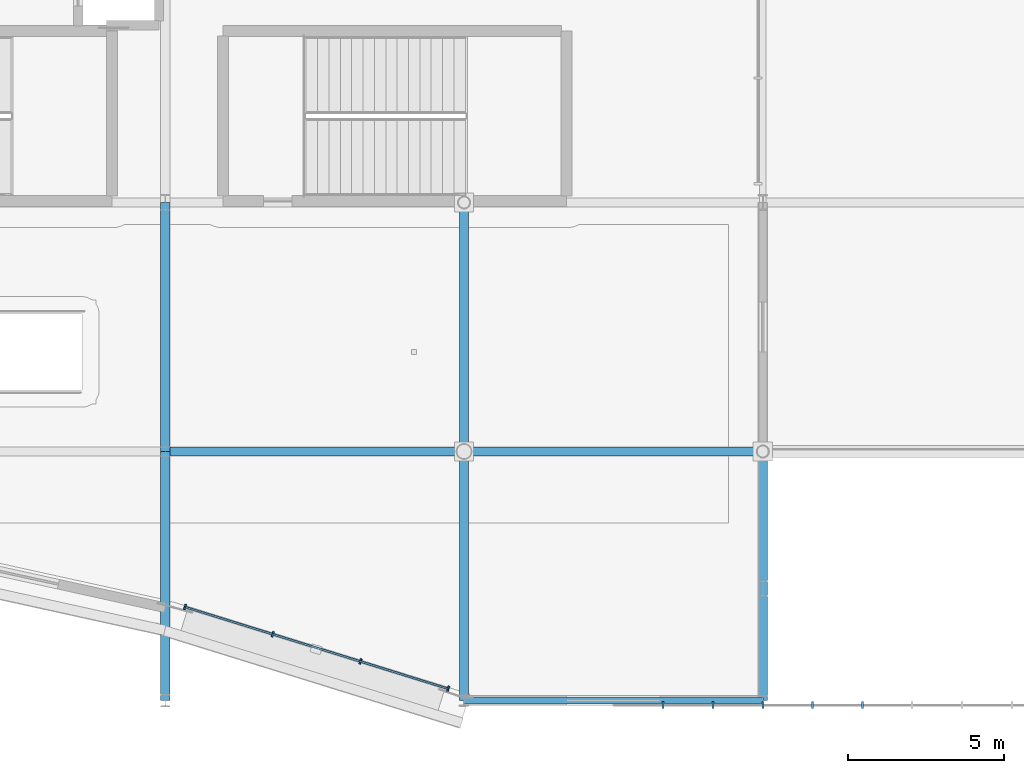
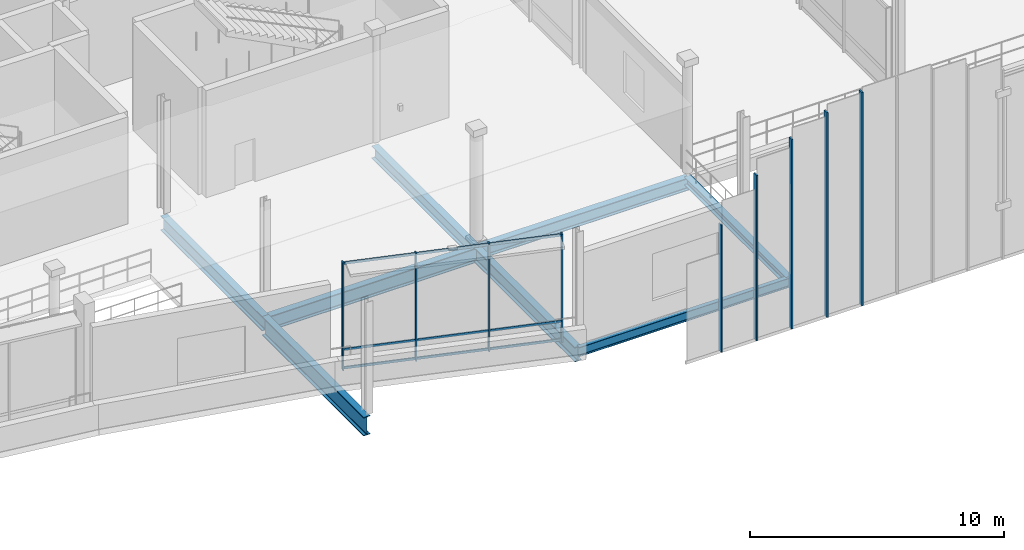
# One storey, part 39 of 129: 12 members, 8 beams, 2 elements without a shape of their own.
"""IFC4 building model written with IfcOpenShell, lengths in metres."""

from ifc_helpers import new_model, si_unit, direction, frame, origin, origin_2d, place, context, subcontext, project, spatial, rectangle, i_section, extrude, material, material_profile, profile_set, type_object, element, aggregate, save


model = new_model("IFC4")

# Units and contexts
model_context = context("Model", 3, precision=1e-05, world=origin(), true_north=direction((0.0, 1.0)))
body_context = subcontext(model_context, "Body", "Model", "MODEL_VIEW")
ifc_project = project(units=[si_unit("LENGTHUNIT", "METRE"), si_unit("AREAUNIT", "SQUARE_METRE"), si_unit("VOLUMEUNIT", "CUBIC_METRE"), si_unit("PLANEANGLEUNIT", "RADIAN"), si_unit("MASSUNIT", "GRAM", prefix="KILO")], contexts=[model_context])

# Site, building, storey
site_placement = place(None, origin())
site = spatial("IfcSite", under=ifc_project, at=site_placement, CompositionType="ELEMENT")
building_placement = place(site_placement, origin())
building = spatial("IfcBuilding", under=site, at=building_placement, Name="Danafjord Basin Convention Centre", CompositionType="ELEMENT")
storey_placement = place(building_placement, frame((0.0, 0.0, 6.0)))
storey = spatial("IfcBuildingStorey", under=building, at=storey_placement, Name="L01", CompositionType="ELEMENT", Elevation=6.0)

# Beams
ifc_material_1 = material(Name="Steel S355", Category="steel")
ifc_material_profile_1 = material_profile(ifc_material_1, i_section(OverallWidth=0.300048828125, OverallDepth=0.60009765625, WebThickness=0.015380859375, FlangeThickness=0.030029296875, FilletRadius=0.027099609375, at=origin_2d()), Name="HEB 600")
ifc_profile_set_1 = profile_set([ifc_material_profile_1], Name="Steel S355")
beam_type_1 = type_object("IfcBeamType", Name="BEAM-BM-HEB600", PredefinedType="BEAM", material=ifc_profile_set_1)
beam_1_placement = place(storey_placement, frame((105.60009765625, 8.0, -0.530029296875), z_axis=(1.0, 0.0, 0.0), x_axis=(0.0, 1.0, 0.0)))
element("IfcBeam", 1, at=beam_1_placement, inside=storey, type_object=beam_type_1, Name="L01 girder BM-HEB600", PredefinedType="BEAM", context=body_context, shape_type="SweptSolid", body=[
    extrude(i_section(OverallWidth=0.300048828125, OverallDepth=0.60009765625, WebThickness=0.015380859375, FlangeThickness=0.030029296875, FilletRadius=0.027099609375, at=origin_2d()), origin(), (0.0, 0.0, 1.0), 9.599853515625),
])
beam_2_placement = place(storey_placement, frame((105.60009765625, 8.0, -0.530029296875), z_axis=(0.0, 1.0, 0.0), x_axis=(-1.0, 0.0, 0.0)))
element("IfcBeam", 2, at=beam_2_placement, inside=storey, type_object=beam_type_1, Name="L01 transverse girder BM-HEB600", PredefinedType="BEAM", context=body_context, shape_type="SweptSolid", body=[
    extrude(i_section(OverallWidth=0.300048828125, OverallDepth=0.60009765625, WebThickness=0.015380859375, FlangeThickness=0.030029296875, FilletRadius=0.027099609375, at=origin_2d()), origin(), (0.0, 0.0, 1.0), 8.0),
])
ifc_material_profile_2 = material_profile(ifc_material_1, i_section(OverallWidth=0.300048828125, OverallDepth=0.699951171875, WebThickness=0.01708984375, FlangeThickness=0.031982421875, FilletRadius=0.027099609375, at=origin_2d()), Name="HEB 700")
ifc_profile_set_2 = profile_set([ifc_material_profile_2], Name="Steel S355")
beam_type_2 = type_object("IfcBeamType", Name="BEAM-BM-HEB700", PredefinedType="BEAM", material=ifc_profile_set_2)
beam_3_placement = place(storey_placement, frame((96.0, 8.0, -0.580078125), z_axis=(1.0, 0.0, 0.0), x_axis=(0.0, 1.0, 0.0)))
element("IfcBeam", 3, at=beam_3_placement, inside=storey, type_object=beam_type_2, Name="L01 girder BM-HEB700", PredefinedType="BEAM", context=body_context, shape_type="SweptSolid", body=[
    extrude(i_section(OverallWidth=0.300048828125, OverallDepth=0.699951171875, WebThickness=0.01708984375, FlangeThickness=0.031982421875, FilletRadius=0.027099609375, at=origin_2d()), origin(), (0.0, 0.0, 1.0), 9.60009765625),
])
for number, where, z_axis, x_axis, name in (
    (4, (96.0, 8.0, -0.580078125), (0.0, 1.0, 0.0), (-1.0, 0.0, 0.0), "L01 transverse girder BM-HEB700"),
    (5, (105.60009765625, 0.0, -0.580078125), (0.0, 1.0, 0.0), (-1.0, 0.0, 0.0), "L01 transverse girder BM-HEB700"),
):
    element("IfcBeam", number, at=place(storey_placement, frame(where, z_axis=z_axis, x_axis=x_axis)), inside=storey, type_object=beam_type_2, Name=name, PredefinedType="BEAM", context=body_context, shape_type="SweptSolid", body=[
        extrude(i_section(OverallWidth=0.300048828125, OverallDepth=0.699951171875, WebThickness=0.01708984375, FlangeThickness=0.031982421875, FilletRadius=0.027099609375, at=origin_2d()), origin(), (0.0, 0.0, 1.0), 8.0),
    ])
ifc_material_profile_3 = material_profile(ifc_material_1, i_section(OverallWidth=0.300048828125, OverallDepth=0.89990234375, WebThickness=0.0185546875, FlangeThickness=0.034912109375, FilletRadius=0.030029296875, at=origin_2d()), Name="HEB 900")
ifc_profile_set_3 = profile_set([ifc_material_profile_3], Name="Steel S355")
beam_type_3 = type_object("IfcBeamType", Name="BEAM-BM-HEB900", PredefinedType="BEAM", material=ifc_profile_set_3)
beam_4_placement = place(storey_placement, frame((96.0, 0.0, -0.679931640625), z_axis=(0.0, 1.0, 0.0), x_axis=(-1.0, 0.0, 0.0)))
element("IfcBeam", 6, at=beam_4_placement, inside=storey, type_object=beam_type_3, Name="L01 transverse girder BM-HEB900", PredefinedType="BEAM", context=body_context, shape_type="SweptSolid", body=[
    extrude(i_section(OverallWidth=0.300048828125, OverallDepth=0.89990234375, WebThickness=0.0185546875, FlangeThickness=0.034912109375, FilletRadius=0.030029296875, at=origin_2d()), origin(), (0.0, 0.0, 1.0), 8.0),
])
ifc_material_profile_4 = material_profile(ifc_material_1, i_section(OverallWidth=0.300048828125, OverallDepth=0.39990234375, WebThickness=0.013427734375, FlangeThickness=0.02392578125, FilletRadius=0.027099609375, at=origin_2d()), Name="HEB 400")
ifc_profile_set_4 = profile_set([ifc_material_profile_4], Name="Steel S355")
beam_type_4 = type_object("IfcBeamType", Name="BEAM-SP-HEB400", PredefinedType="SPANDREL", material=ifc_profile_set_4)
beam_5_placement = place(storey_placement, frame((115.199951171875, 0.0, -0.429931640625), z_axis=(0.0, 1.0, 0.0), x_axis=(-1.0, 0.0, 0.0)))
element("IfcBeam", 7, at=beam_5_placement, inside=storey, type_object=beam_type_4, Name="L01 transverse girder SP-HEB400", PredefinedType="SPANDREL", context=body_context, shape_type="SweptSolid", body=[
    extrude(i_section(OverallWidth=0.300048828125, OverallDepth=0.39990234375, WebThickness=0.013427734375, FlangeThickness=0.02392578125, FilletRadius=0.027099609375, at=origin_2d()), origin(), (0.0, 0.0, 1.0), 8.0),
])
ifc_material_profile_5 = material_profile(ifc_material_1, i_section(OverallWidth=0.18994140625, OverallDepth=0.449951171875, WebThickness=0.009521484375, FlangeThickness=0.0146484375, FilletRadius=0.02099609375, at=origin_2d()), Name="IPE 450")
ifc_profile_set_5 = profile_set([ifc_material_profile_5], Name="Steel S355")
beam_type_5 = type_object("IfcBeamType", Name="BEAM-SP-IPE450", PredefinedType="SPANDREL", material=ifc_profile_set_5)
beam_6_placement = place(storey_placement, frame((105.60009765625, 0.0, -0.455078125), z_axis=(1.0, 0.0, 0.0), x_axis=(0.0, 1.0, 0.0)))
element("IfcBeam", 8, at=beam_6_placement, inside=storey, type_object=beam_type_5, Name="L01 girder SP-IPE450", PredefinedType="SPANDREL", context=body_context, shape_type="SweptSolid", body=[
    extrude(i_section(OverallWidth=0.18994140625, OverallDepth=0.449951171875, WebThickness=0.009521484375, FlangeThickness=0.0146484375, FilletRadius=0.02099609375, at=origin_2d()), origin(), (0.0, 0.0, 1.0), 9.599853515625),
])

# Curtain wall, members
ifc_material_2 = material(Name="Anodised aluminium and triple glazing", Category="aluminium")
curtain_wall_type = type_object("IfcCurtainWallType", Name="CW-CW-HARB", PredefinedType="NOTDEFINED", material=ifc_material_2)
curtain_wall_1_placement = place(storey_placement, origin())
curtain_wall_1 = element("IfcCurtainWall", 9, at=curtain_wall_1_placement, inside=storey, type_object=curtain_wall_type, Name="L01 CW-HARB unitised curtain wall bay 21", PredefinedType="NOTDEFINED")
ifc_material_3 = material(Name="Anodised aluminium EN AW-6060", Category="aluminium")
ifc_material_profile_6 = material_profile(ifc_material_3, rectangle(XDim=0.06005859375, YDim=0.179931640625, at=origin_2d()), Name="MULL 60x180")
ifc_profile_set_6 = profile_set([ifc_material_profile_6], Name="Anodised aluminium EN AW-6060")
member_type_1 = type_object("IfcMemberType", Name="MEM-ML-180", PredefinedType="MULLION", material=ifc_profile_set_6)
member_1_placement = place(storey_placement, frame((96.635986328125, 3.0048828125, -0.02490234375), z_axis=(0.0, 0.0, 1.0), x_axis=(0.955044712757, -0.296461796249, 0.0)))
member_1 = element("IfcMember", 10, at=member_1_placement, type_object=member_type_1, Name="CW-L01-021 mullion 1", PredefinedType="MULLION", context=body_context, shape_type="SweptSolid", body=[
    extrude(rectangle(XDim=0.06005859375, YDim=0.179931640625, at=origin_2d()), origin(), (0.0, 0.0, 1.0), 5.184814453125),
])
member_2_placement = place(storey_placement, frame((99.453857421875, 2.130126953125, -0.02490234375), z_axis=(0.0, 0.0, 1.0), x_axis=(0.955044712757, -0.296461796249, 0.0)))
member_2 = element("IfcMember", 11, at=member_2_placement, type_object=member_type_1, Name="CW-L01-021 mullion 2", PredefinedType="MULLION", context=body_context, shape_type="SweptSolid", body=[
    extrude(rectangle(XDim=0.06005859375, YDim=0.179931640625, at=origin_2d()), origin(), (0.0, 0.0, 1.0), 5.184814453125),
])
member_3_placement = place(storey_placement, frame((102.27197265625, 1.25537109375, -0.02490234375), z_axis=(0.0, 0.0, 1.0), x_axis=(0.955044712757, -0.296461796249, 0.0)))
member_3 = element("IfcMember", 12, at=member_3_placement, type_object=member_type_1, Name="CW-L01-021 mullion 3", PredefinedType="MULLION", context=body_context, shape_type="SweptSolid", body=[
    extrude(rectangle(XDim=0.06005859375, YDim=0.179931640625, at=origin_2d()), origin(), (0.0, 0.0, 1.0), 5.184814453125),
])
member_4_placement = place(storey_placement, frame((105.08984375, 0.380615234375, -0.02490234375), z_axis=(0.0, 0.0, 1.0), x_axis=(0.955044712757, -0.296461796249, 0.0)))
member_4 = element("IfcMember", 13, at=member_4_placement, type_object=member_type_1, Name="CW-L01-021 mullion 4", PredefinedType="MULLION", context=body_context, shape_type="SweptSolid", body=[
    extrude(rectangle(XDim=0.06005859375, YDim=0.179931640625, at=origin_2d()), origin(), (0.0, 0.0, 1.0), 5.184814453125),
])

curtain_wall_2_placement = place(storey_placement, origin())
curtain_wall_2 = element("IfcCurtainWall", 14, at=curtain_wall_2_placement, inside=storey, type_object=curtain_wall_type, Name="Main entrance tall semicircular glazed arch curtain wall", PredefinedType="NOTDEFINED")
ifc_material_profile_7 = material_profile(ifc_material_3, rectangle(XDim=0.06494140625, YDim=0.219970703125, at=origin_2d()), Name="MULL 65x220")
ifc_profile_set_7 = profile_set([ifc_material_profile_7], Name="Anodised aluminium EN AW-6060")
member_type_2 = type_object("IfcMemberType", Name="MEM-ML-220", PredefinedType="MULLION", material=ifc_profile_set_7)
member_5_placement = place(storey_placement, frame((112.0, -0.14990234375, -2.60009765625), z_axis=(0.0, 0.0, 1.0), x_axis=(1.0, 0.0, 0.0)))
member_5 = element("IfcMember", 15, at=member_5_placement, type_object=member_type_2, Name="Main entrance glazed arch mullion 1", PredefinedType="MULLION", context=body_context, shape_type="SweptSolid", body=[
    extrude(rectangle(XDim=0.06494140625, YDim=0.219970703125, at=origin_2d()), origin(), (0.0, 0.0, 1.0), 6.106689453125),
])
member_6_placement = place(storey_placement, frame((113.60009765625, -0.14990234375, -2.60009765625), z_axis=(0.0, 0.0, 1.0), x_axis=(1.0, 0.0, 0.0)))
member_6 = element("IfcMember", 16, at=member_6_placement, type_object=member_type_2, Name="Main entrance glazed arch mullion 2", PredefinedType="MULLION", context=body_context, shape_type="SweptSolid", body=[
    extrude(rectangle(XDim=0.06494140625, YDim=0.219970703125, at=origin_2d()), origin(), (0.0, 0.0, 1.0), 7.95556640625),
])
member_7_placement = place(storey_placement, frame((115.199951171875, -0.14990234375, -2.60009765625), z_axis=(0.0, 0.0, 1.0), x_axis=(1.0, 0.0, 0.0)))
member_7 = element("IfcMember", 17, at=member_7_placement, type_object=member_type_2, Name="Main entrance glazed arch mullion 3", PredefinedType="MULLION", context=body_context, shape_type="SweptSolid", body=[
    extrude(rectangle(XDim=0.06494140625, YDim=0.219970703125, at=origin_2d()), origin(), (0.0, 0.0, 1.0), 9.114013671875),
])
member_8_placement = place(storey_placement, frame((116.800048828125, -0.14990234375, -2.60009765625), z_axis=(0.0, 0.0, 1.0), x_axis=(1.0, 0.0, 0.0)))
member_8 = element("IfcMember", 18, at=member_8_placement, type_object=member_type_2, Name="Main entrance glazed arch mullion 4", PredefinedType="MULLION", context=body_context, shape_type="SweptSolid", body=[
    extrude(rectangle(XDim=0.06494140625, YDim=0.219970703125, at=origin_2d()), origin(), (0.0, 0.0, 1.0), 9.85107421875),
])
member_9_placement = place(storey_placement, frame((118.39990234375, -0.14990234375, -2.60009765625), z_axis=(0.0, 0.0, 1.0), x_axis=(1.0, 0.0, 0.0)))
member_9 = element("IfcMember", 19, at=member_9_placement, type_object=member_type_2, Name="Main entrance glazed arch mullion 5", PredefinedType="MULLION", context=body_context, shape_type="SweptSolid", body=[
    extrude(rectangle(XDim=0.06494140625, YDim=0.219970703125, at=origin_2d()), origin(), (0.0, 0.0, 1.0), 10.265869140625),
])
aggregate(curtain_wall_2, [member_5, member_6, member_7, member_8, member_9])

# Member
ifc_material_profile_8 = material_profile(ifc_material_3, rectangle(XDim=0.06005859375, YDim=0.110107421875, at=origin_2d()), Name="TRAN 60x110")
ifc_profile_set_8 = profile_set([ifc_material_profile_8], Name="Anodised aluminium EN AW-6060")
member_type_3 = type_object("IfcMemberType", Name="MEM-TR-110", PredefinedType="USERDEFINED", material=ifc_profile_set_8)
member_10_placement = place(storey_placement, frame((96.635986328125, 3.0048828125, 0.06005859375), z_axis=(0.955043134655, -0.296466880019, 0.0), x_axis=(0.296466880019, 0.955043134655, 0.0)))
member_10 = element("IfcMember", 20, at=member_10_placement, type_object=member_type_3, Name="CW-L01-021 transom 1", ObjectType="TRANSOM", PredefinedType="USERDEFINED", context=body_context, shape_type="SweptSolid", body=[
    extrude(rectangle(XDim=0.06005859375, YDim=0.110107421875, at=origin_2d()), origin(), (0.0, 0.0, 1.0), 8.851806640625),
])

member_11_placement = place(storey_placement, frame((96.635986328125, 3.0048828125, 0.949951171875), z_axis=(0.955043134655, -0.296466880019, 0.0), x_axis=(0.296466880019, 0.955043134655, 0.0)))
member_11 = element("IfcMember", 21, at=member_11_placement, type_object=member_type_3, Name="CW-L01-021 transom 2", ObjectType="TRANSOM", PredefinedType="USERDEFINED", context=body_context, shape_type="SweptSolid", body=[
    extrude(rectangle(XDim=0.06005859375, YDim=0.110107421875, at=origin_2d()), origin(), (0.0, 0.0, 1.0), 8.851806640625),
])

member_12_placement = place(storey_placement, frame((96.635986328125, 3.0048828125, 5.090087890625), z_axis=(0.955043134655, -0.296466880019, 0.0), x_axis=(0.296466880019, 0.955043134655, 0.0)))
member_12 = element("IfcMember", 22, at=member_12_placement, type_object=member_type_3, Name="CW-L01-021 transom 3", ObjectType="TRANSOM", PredefinedType="USERDEFINED", context=body_context, shape_type="SweptSolid", body=[
    extrude(rectangle(XDim=0.06005859375, YDim=0.110107421875, at=origin_2d()), origin(), (0.0, 0.0, 1.0), 8.851806640625),
])

aggregate(curtain_wall_1, [member_1, member_2, member_3, member_4, member_10, member_11, member_12])

save(model, "model.ifc")
